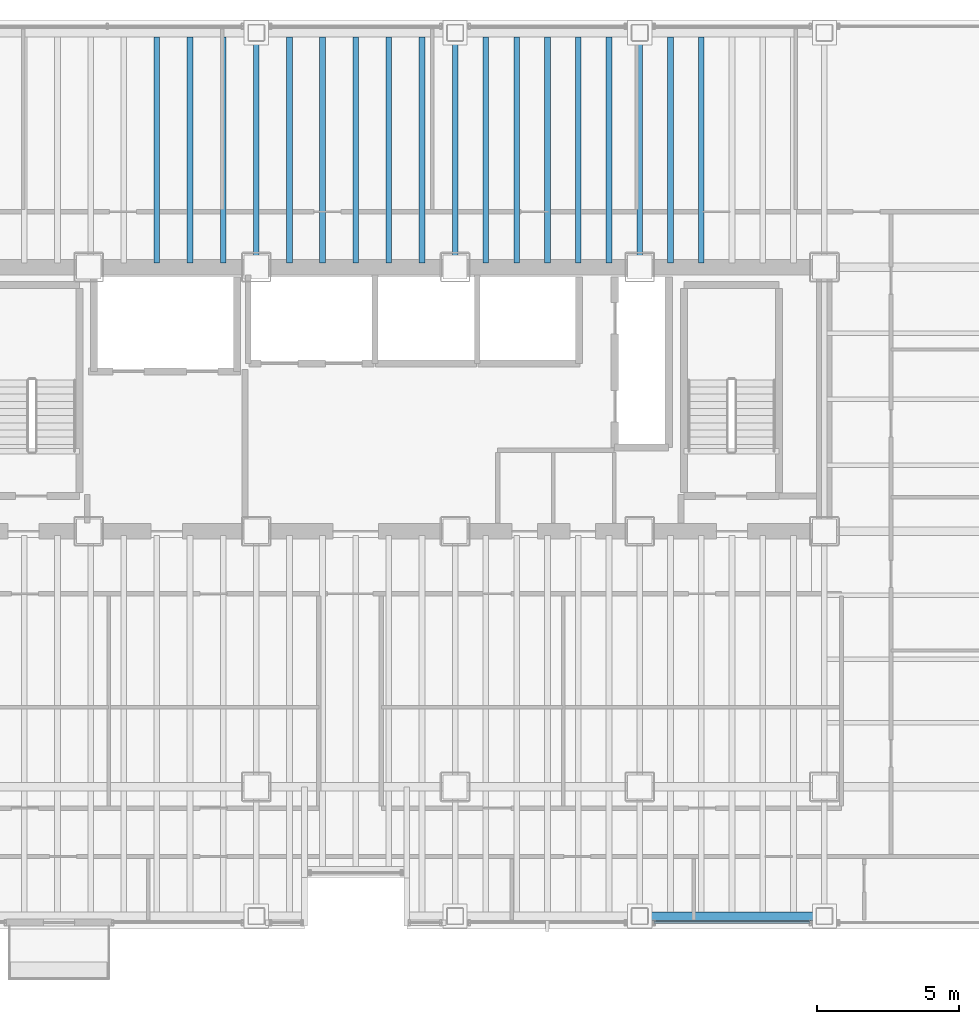
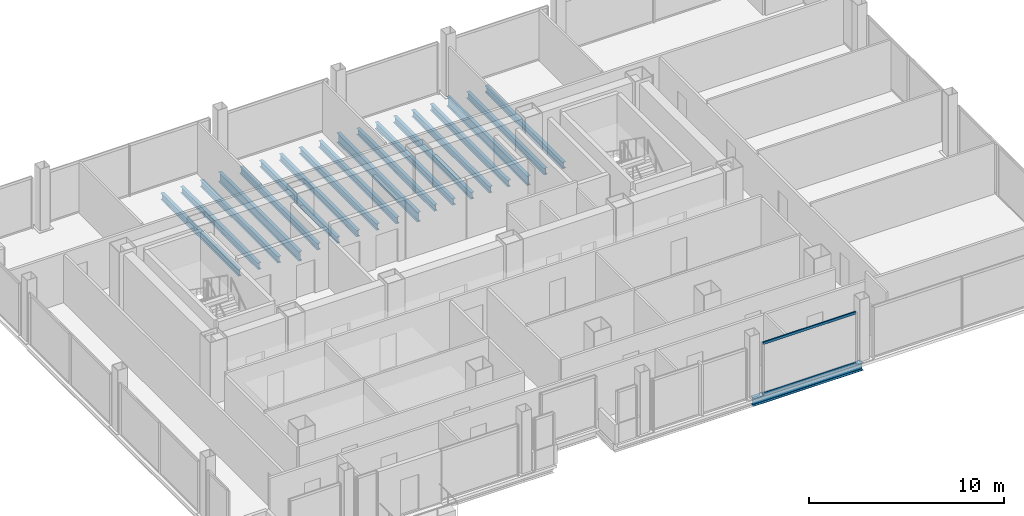
# One storey, part 7 of 20: 19 beams, 2 members, 1 element without a shape of its own.
"""IFC4 building model written with IfcOpenShell, lengths in metres."""

from ifc_helpers import new_model, si_unit, direction, frame, origin, origin_2d, place, context, subcontext, project, spatial, hollow_rectangle, i_section, extrude, material, material_profile, profile_set, type_object, element, aggregate, save


model = new_model("IFC4")

# Units and contexts
model_context = context("Model", 3, precision=1e-05, world=origin(), true_north=direction((0.0, 1.0)))
body_context = subcontext(model_context, "Body", "Model", "MODEL_VIEW")
ifc_project = project(units=[si_unit("LENGTHUNIT", "METRE"), si_unit("AREAUNIT", "SQUARE_METRE"), si_unit("VOLUMEUNIT", "CUBIC_METRE"), si_unit("PLANEANGLEUNIT", "RADIAN"), si_unit("MASSUNIT", "GRAM", prefix="KILO")], contexts=[model_context])

# Site, building, storey
site_placement = place(None, origin())
site = spatial("IfcSite", under=ifc_project, at=site_placement, CompositionType="ELEMENT")
building_placement = place(site_placement, origin())
building = spatial("IfcBuilding", under=site, at=building_placement, Name="Noeulbin Bourse Tower", CompositionType="ELEMENT")
storey_placement = place(building_placement, frame((0.0, 0.0, 69.39990234375)))
storey = spatial("IfcBuildingStorey", under=building, at=storey_placement, Name="L17", CompositionType="ELEMENT", Elevation=69.39990234375)

# Beams
ifc_material_1 = material(Name="Steel S355", Category="steel")
ifc_material_profile_1 = material_profile(ifc_material_1, i_section(OverallWidth=0.199951171875, OverallDepth=0.60009765625, WebThickness=0.010986328125, FlangeThickness=0.01708984375, FilletRadius=0.02197265625, at=origin_2d()), Name="H-600x200x11x17", Category="LoadBearing")
ifc_profile_set_1 = profile_set([ifc_material_profile_1], Name="Steel S355")
beam_type_1 = type_object("IfcBeamType", Name="BM-GRD-600", PredefinedType="USERDEFINED", material=ifc_profile_set_1)
for number, where, z_axis, x_axis, name in (
    (1, (24.0, 38.300048828125, -0.47998046875), (0.0, 1.0, 0.0), (-1.0, 0.0, 0.0), "Tower Primary Girder NS L17-2.4"),
    (2, (31.0, 38.300048828125, -0.47998046875), (0.0, 1.0, 0.0), (-1.0, 0.0, 0.0), "Tower Primary Girder NS L17-3.4"),
    (3, (37.5, 38.300048828125, -0.47998046875), (0.0, 1.0, 0.0), (-1.0, 0.0, 0.0), "Tower Primary Girder NS L17-4.4"),
):
    element("IfcBeam", number, at=place(storey_placement, frame(where, z_axis=z_axis, x_axis=x_axis)), inside=storey, type_object=beam_type_1, Name=name, ObjectType="GIRDER", PredefinedType="USERDEFINED", context=body_context, shape_type="SweptSolid", body=[
        extrude(i_section(OverallWidth=0.199951171875, OverallDepth=0.60009765625, WebThickness=0.010986328125, FlangeThickness=0.01708984375, FilletRadius=0.02197265625, at=origin_2d()), origin(), (0.0, 0.0, 1.0), 8.25),
    ])
ifc_material_profile_2 = material_profile(ifc_material_1, i_section(OverallWidth=0.199951171875, OverallDepth=0.39990234375, WebThickness=0.008056640625, FlangeThickness=0.012939453125, FilletRadius=0.01611328125, at=origin_2d()), Name="H-400x200x8x13", Category="LoadBearing")
ifc_profile_set_2 = profile_set([ifc_material_profile_2], Name="Steel S355")
beam_type_2 = type_object("IfcBeamType", Name="BM-SEC-400", PredefinedType="BEAM", material=ifc_profile_set_2)
for number, where, z_axis, x_axis, name in (
    (4, (20.5, 38.449951171875, -0.3798828125), (0.0, 1.0, 0.0), (-1.0, 0.0, 0.0), "Tower Composite Joist L17-18"),
    (5, (21.666748046875, 38.449951171875, -0.3798828125), (0.0, 1.0, 0.0), (-1.0, 0.0, 0.0), "Tower Composite Joist L17-21"),
    (6, (22.833251953125, 38.449951171875, -0.3798828125), (0.0, 1.0, 0.0), (-1.0, 0.0, 0.0), "Tower Composite Joist L17-24"),
    (7, (25.166748046875, 38.449951171875, -0.3798828125), (0.0, 1.0, 0.0), (-1.0, 0.0, 0.0), "Tower Composite Joist L17-27"),
    (8, (26.333251953125, 38.449951171875, -0.3798828125), (0.0, 1.0, 0.0), (-1.0, 0.0, 0.0), "Tower Composite Joist L17-30"),
    (9, (27.5, 38.449951171875, -0.3798828125), (0.0, 1.0, 0.0), (-1.0, 0.0, 0.0), "Tower Composite Joist L17-33"),
    (10, (28.666748046875, 38.449951171875, -0.3798828125), (0.0, 1.0, 0.0), (-1.0, 0.0, 0.0), "Tower Composite Joist L17-36"),
    (11, (29.833251953125, 38.449951171875, -0.3798828125), (0.0, 1.0, 0.0), (-1.0, 0.0, 0.0), "Tower Composite Joist L17-39"),
    (12, (32.083251953125, 38.449951171875, -0.3798828125), (0.0, 1.0, 0.0), (-1.0, 0.0, 0.0), "Tower Composite Joist L17-42"),
    (13, (33.166748046875, 38.449951171875, -0.3798828125), (0.0, 1.0, 0.0), (-1.0, 0.0, 0.0), "Tower Composite Joist L17-45"),
    (14, (34.25, 38.449951171875, -0.3798828125), (0.0, 1.0, 0.0), (-1.0, 0.0, 0.0), "Tower Composite Joist L17-48"),
    (15, (35.333251953125, 38.449951171875, -0.3798828125), (0.0, 1.0, 0.0), (-1.0, 0.0, 0.0), "Tower Composite Joist L17-51"),
    (16, (36.416748046875, 38.449951171875, -0.3798828125), (0.0, 1.0, 0.0), (-1.0, 0.0, 0.0), "Tower Composite Joist L17-54"),
    (17, (38.583251953125, 38.449951171875, -0.3798828125), (0.0, 1.0, 0.0), (-1.0, 0.0, 0.0), "Tower Composite Joist L17-57"),
    (18, (39.666748046875, 38.449951171875, -0.3798828125), (0.0, 1.0, 0.0), (-1.0, 0.0, 0.0), "Tower Composite Joist L17-60"),
):
    element("IfcBeam", number, at=place(storey_placement, frame(where, z_axis=z_axis, x_axis=x_axis)), inside=storey, type_object=beam_type_2, Name=name, PredefinedType="BEAM", context=body_context, shape_type="SweptSolid", body=[
        extrude(i_section(OverallWidth=0.199951171875, OverallDepth=0.39990234375, WebThickness=0.008056640625, FlangeThickness=0.012939453125, FilletRadius=0.01611328125, at=origin_2d()), origin(), (0.0, 0.0, 1.0), 7.949951171875),
    ])
ifc_material_profile_3 = material_profile(ifc_material_1, i_section(OverallWidth=0.300048828125, OverallDepth=0.488037109375, WebThickness=0.010986328125, FlangeThickness=0.01806640625, FilletRadius=0.02197265625, at=origin_2d()), Name="H-488x300x11x18", Category="LoadBearing")
ifc_profile_set_3 = profile_set([ifc_material_profile_3], Name="Steel S355")
beam_type_3 = type_object("IfcBeamType", Name="BM-SPN-488", PredefinedType="SPANDREL", material=ifc_profile_set_3)
beam_placement = place(storey_placement, frame((37.5, 15.449951171875, -0.423828125), z_axis=(1.0, 0.0, 0.0), x_axis=(0.0, 1.0, 0.0)))
element("IfcBeam", 19, at=beam_placement, inside=storey, type_object=beam_type_3, Name="South Spandrel L17-4", PredefinedType="SPANDREL", context=body_context, shape_type="SweptSolid", body=[
    extrude(i_section(OverallWidth=0.300048828125, OverallDepth=0.488037109375, WebThickness=0.010986328125, FlangeThickness=0.01806640625, FilletRadius=0.02197265625, at=origin_2d()), origin(), (0.0, 0.0, 1.0), 6.5),
])

# Curtain wall, members
ifc_material_2 = material(Name="Dark Solar-Control Double Glazing", Category="glass")
curtain_wall_type = type_object("IfcCurtainWallType", Name="CW-SYS-2", PredefinedType="NOTDEFINED", material=ifc_material_2)
curtain_wall_placement = place(storey_placement, origin())
curtain_wall = element("IfcCurtainWall", 20, at=curtain_wall_placement, inside=storey, type_object=curtain_wall_type, Name="Unitised Curtain Wall CW-L17-S3-S3", PredefinedType="NOTDEFINED")
ifc_material_3 = material(Name="Anodised Aluminium 6063-T6", Category="aluminium")
ifc_material_profile_4 = material_profile(ifc_material_3, hollow_rectangle(XDim=0.074951171875, YDim=0.159912109375, WallThickness=0.0048828125, InnerFilletRadius=0.00244140625, OuterFilletRadius=0.0048828125, at=origin_2d()), Name="ALU-TRAN-75x160x5", Category="LoadBearing")
ifc_profile_set_4 = profile_set([ifc_material_profile_4], Name="Anodised Aluminium 6063-T6")
member_type = type_object("IfcMemberType", Name="CW-SYS-2-TRN", PredefinedType="USERDEFINED", material=ifc_profile_set_4)
member_1_placement = place(storey_placement, frame((38.010009765625, 15.219970703125, 0.010009765625), z_axis=(1.0, 0.0, 0.0), x_axis=(0.0, 1.0, 0.0)))
member_1 = element("IfcMember", 21, at=member_1_placement, type_object=member_type, Name="Curtain Wall Transom CW-L17-S3-S3-T00", ObjectType="TRANSOM", PredefinedType="USERDEFINED", context=body_context, shape_type="SweptSolid", body=[
    extrude(hollow_rectangle(XDim=0.074951171875, YDim=0.159912109375, WallThickness=0.0048828125, InnerFilletRadius=0.00244140625, OuterFilletRadius=0.0048828125, at=origin_2d()), origin(), (0.0, 0.0, 1.0), 5.47998046875),
])
member_2_placement = place(storey_placement, frame((38.010009765625, 15.219970703125, 3.170166015625), z_axis=(1.0, 0.0, 0.0), x_axis=(0.0, 1.0, 0.0)))
member_2 = element("IfcMember", 22, at=member_2_placement, type_object=member_type, Name="Curtain Wall Transom CW-L17-S3-S3-T01", ObjectType="TRANSOM", PredefinedType="USERDEFINED", context=body_context, shape_type="SweptSolid", body=[
    extrude(hollow_rectangle(XDim=0.074951171875, YDim=0.159912109375, WallThickness=0.0048828125, InnerFilletRadius=0.00244140625, OuterFilletRadius=0.0048828125, at=origin_2d()), origin(), (0.0, 0.0, 1.0), 5.47998046875),
])
aggregate(curtain_wall, [member_1, member_2])

save(model, "model.ifc")
